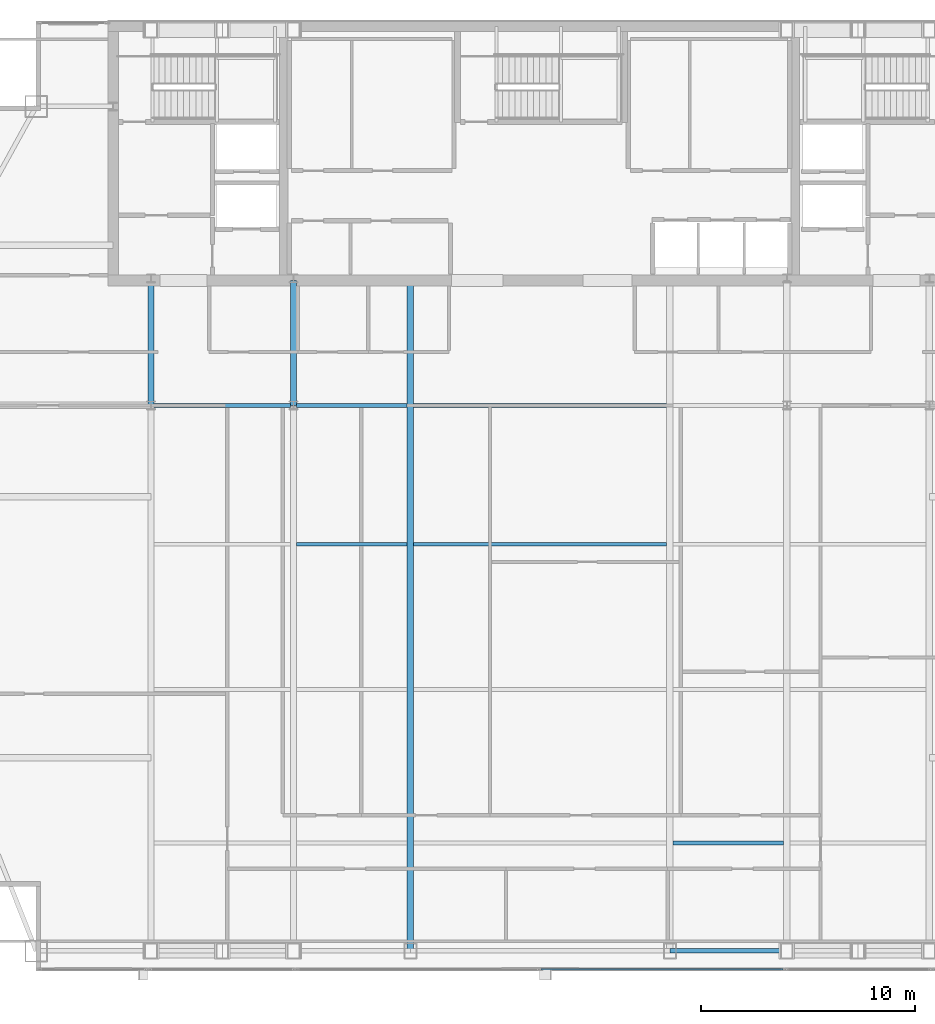
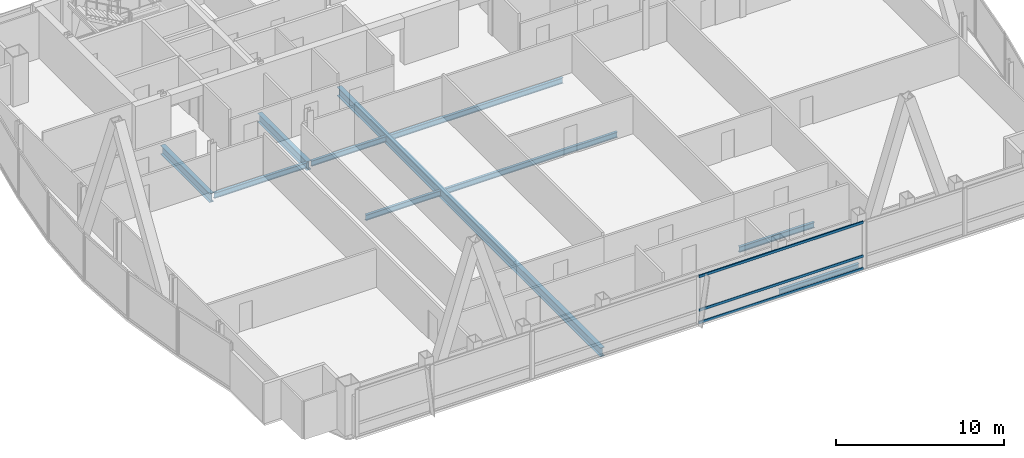
# One storey, part 13 of 31: 10 beams, 3 members, 1 element without a shape of its own.
"""IFC4 building model written with IfcOpenShell, lengths in metres."""

from ifc_helpers import new_model, si_unit, direction, frame, origin, origin_2d, place, context, subcontext, project, spatial, hollow_rectangle, i_section, extrude, material, material_profile, profile_set, type_object, element, aggregate, save


model = new_model("IFC4")

# Units and contexts
model_context = context("Model", 3, precision=1e-05, world=origin(), true_north=direction((0.0, 1.0)))
body_context = subcontext(model_context, "Body", "Model", "MODEL_VIEW")
ifc_project = project(units=[si_unit("LENGTHUNIT", "METRE"), si_unit("AREAUNIT", "SQUARE_METRE"), si_unit("VOLUMEUNIT", "CUBIC_METRE"), si_unit("PLANEANGLEUNIT", "RADIAN"), si_unit("MASSUNIT", "GRAM", prefix="KILO")], contexts=[model_context])

# Site, building, storey
site_placement = place(None, origin())
site = spatial("IfcSite", under=ifc_project, at=site_placement, CompositionType="ELEMENT")
building_placement = place(site_placement, origin())
building = spatial("IfcBuilding", under=site, at=building_placement, Name="Khoronbel Lancet Exchange", CompositionType="ELEMENT")
storey_placement = place(building_placement, frame((0.0, 0.0, 273.39990234375)))
storey = spatial("IfcBuildingStorey", under=building, at=storey_placement, Name="L70", CompositionType="ELEMENT", Elevation=273.39990234375)

# Beams
ifc_material_1 = material(Name="Steel S355", Category="steel")
ifc_material_profile_1 = material_profile(ifc_material_1, i_section(OverallWidth=0.300048828125, OverallDepth=0.64990234375, WebThickness=0.01611328125, FlangeThickness=0.031005859375, at=origin_2d()), Name="HEB 650")
ifc_profile_set_1 = profile_set([ifc_material_profile_1], Name="Steel S355")
beam_type_1 = type_object("IfcBeamType", Name="BM-BG4", PredefinedType="BEAM", material=ifc_profile_set_1)
for number, where, z_axis, x_axis, name in (
    (1, (18.22509765625, 35.699951171875, -0.48486328125), (0.0, 1.0, 0.0), (-1.0, 0.0, 0.0), "Level L70 spine tie girder GN1"),
    (2, (24.89990234375, 35.699951171875, -0.48486328125), (0.0, 1.0, 0.0), (-1.0, 0.0, 0.0), "Level L70 spine tie girder GN2"),
):
    element("IfcBeam", number, at=place(storey_placement, frame(where, z_axis=z_axis, x_axis=x_axis)), inside=storey, type_object=beam_type_1, Name=name, PredefinedType="BEAM", context=body_context, shape_type="SweptSolid", body=[
        extrude(i_section(OverallWidth=0.300048828125, OverallDepth=0.64990234375, WebThickness=0.01611328125, FlangeThickness=0.031005859375, at=origin_2d()), origin(), (0.0, 0.0, 1.0), 5.85009765625),
    ])
beam_1_placement = place(storey_placement, frame((30.375, 10.14990234375, -0.48486328125), z_axis=(0.0, 1.0, 0.0), x_axis=(-1.0, 0.0, 0.0)))
element("IfcBeam", 3, at=beam_1_placement, inside=storey, type_object=beam_type_1, Name="Level L70 primary floor girder G3", PredefinedType="BEAM", context=body_context, shape_type="SweptSolid", body=[
    extrude(i_section(OverallWidth=0.300048828125, OverallDepth=0.64990234375, WebThickness=0.01611328125, FlangeThickness=0.031005859375, at=origin_2d()), origin(), (0.0, 0.0, 1.0), 31.400146484375),
])
ifc_material_profile_2 = material_profile(ifc_material_1, i_section(OverallWidth=0.179931640625, OverallDepth=0.39990234375, WebThickness=0.008544921875, FlangeThickness=0.013427734375, at=origin_2d()), Name="IPE 400")
ifc_profile_set_2 = profile_set([ifc_material_profile_2], Name="Steel S355")
beam_type_2 = type_object("IfcBeamType", Name="BM-BJ5", PredefinedType="JOIST", material=ifc_profile_set_2)
for number, where, z_axis, x_axis, name in (
    (4, (42.675048828125, 15.199951171875, -0.35986328125), (1.0, 0.0, 0.0), (0.0, 1.0, 0.0), "Level L70 secondary composite joist J04"),
    (5, (25.050048828125, 29.199951171875, -0.35986328125), (1.0, 0.0, 0.0), (0.0, 1.0, 0.0), "Level L70 secondary composite joist J12"),
):
    element("IfcBeam", number, at=place(storey_placement, frame(where, z_axis=z_axis, x_axis=x_axis)), inside=storey, type_object=beam_type_2, Name=name, PredefinedType="JOIST", context=body_context, shape_type="SweptSolid", body=[
        extrude(i_section(OverallWidth=0.179931640625, OverallDepth=0.39990234375, WebThickness=0.008544921875, FlangeThickness=0.013427734375, at=origin_2d()), origin(), (0.0, 0.0, 1.0), 5.175048828125),
    ])
beam_2_placement = place(storey_placement, frame((30.52490234375, 29.199951171875, -0.35986328125), z_axis=(1.0, 0.0, 0.0), x_axis=(0.0, 1.0, 0.0)))
element("IfcBeam", 6, at=beam_2_placement, inside=storey, type_object=beam_type_2, Name="Level L70 secondary composite joist J13", PredefinedType="JOIST", context=body_context, shape_type="SweptSolid", body=[
    extrude(i_section(OverallWidth=0.179931640625, OverallDepth=0.39990234375, WebThickness=0.008544921875, FlangeThickness=0.013427734375, at=origin_2d()), origin(), (0.0, 0.0, 1.0), 11.85009765625),
])
beam_3_placement = place(storey_placement, frame((18.375, 35.699951171875, -0.35986328125), z_axis=(1.0, 0.0, 0.0), x_axis=(0.0, 1.0, 0.0)))
element("IfcBeam", 7, at=beam_3_placement, inside=storey, type_object=beam_type_2, Name="Level L70 secondary composite joist J16", PredefinedType="JOIST", context=body_context, shape_type="SweptSolid", body=[
    extrude(i_section(OverallWidth=0.179931640625, OverallDepth=0.39990234375, WebThickness=0.008544921875, FlangeThickness=0.013427734375, at=origin_2d()), origin(), (0.0, 0.0, 1.0), 6.375),
])
beam_4_placement = place(storey_placement, frame((25.050048828125, 35.699951171875, -0.35986328125), z_axis=(1.0, 0.0, 0.0), x_axis=(0.0, 1.0, 0.0)))
element("IfcBeam", 8, at=beam_4_placement, inside=storey, type_object=beam_type_2, Name="Level L70 secondary composite joist J17", PredefinedType="JOIST", context=body_context, shape_type="SweptSolid", body=[
    extrude(i_section(OverallWidth=0.179931640625, OverallDepth=0.39990234375, WebThickness=0.008544921875, FlangeThickness=0.013427734375, at=origin_2d()), origin(), (0.0, 0.0, 1.0), 5.175048828125),
])
beam_5_placement = place(storey_placement, frame((30.52490234375, 35.699951171875, -0.35986328125), z_axis=(1.0, 0.0, 0.0), x_axis=(0.0, 1.0, 0.0)))
element("IfcBeam", 9, at=beam_5_placement, inside=storey, type_object=beam_type_2, Name="Level L70 secondary composite joist J18", PredefinedType="JOIST", context=body_context, shape_type="SweptSolid", body=[
    extrude(i_section(OverallWidth=0.179931640625, OverallDepth=0.39990234375, WebThickness=0.008544921875, FlangeThickness=0.013427734375, at=origin_2d()), origin(), (0.0, 0.0, 1.0), 11.85009765625),
])
ifc_material_profile_3 = material_profile(ifc_material_1, i_section(OverallWidth=0.2099609375, OverallDepth=0.550048828125, WebThickness=0.010986328125, FlangeThickness=0.01708984375, at=origin_2d()), Name="IPE 550")
ifc_profile_set_3 = profile_set([ifc_material_profile_3], Name="Steel S355")
beam_type_3 = type_object("IfcBeamType", Name="BM-BSP3", PredefinedType="SPANDREL", material=ifc_profile_set_3)
beam_6_placement = place(storey_placement, frame((42.52490234375, 10.14990234375, -0.434814453125), z_axis=(1.0, 0.0, 0.0), x_axis=(0.0, 1.0, 0.0)))
element("IfcBeam", 10, at=beam_6_placement, inside=storey, type_object=beam_type_3, Name="Level L70 perimeter spandrel beam SP06", PredefinedType="SPANDREL", context=body_context, shape_type="SweptSolid", body=[
    extrude(i_section(OverallWidth=0.2099609375, OverallDepth=0.550048828125, WebThickness=0.010986328125, FlangeThickness=0.01708984375, at=origin_2d()), origin(), (0.0, 0.0, 1.0), 5.47509765625),
])

# Curtain wall, members
ifc_material_2 = material(Name="Low-E Solar Control Insulating Glass", Category="glass")
curtain_wall_type = type_object("IfcCurtainWallType", Name="CW-3", PredefinedType="NOTDEFINED", material=ifc_material_2)
curtain_wall_placement = place(storey_placement, origin())
curtain_wall = element("IfcCurtainWall", 11, at=curtain_wall_placement, inside=storey, type_object=curtain_wall_type, Name="Unitised curtain wall CW-L70-SCV", PredefinedType="NOTDEFINED")
ifc_material_3 = material(Name="Bronze-Anodised Aluminium 6063-T6", Category="aluminium")
ifc_material_profile_4 = material_profile(ifc_material_3, hollow_rectangle(XDim=0.0849609375, YDim=0.179931640625, WallThickness=0.0048828125, at=origin_2d()), Name="ALU TRANSOM 85x180")
ifc_profile_set_4 = profile_set([ifc_material_profile_4], Name="Bronze-Anodised Aluminium 6063-T6")
member_type = type_object("IfcMemberType", Name="MEM-CWT1", PredefinedType="USERDEFINED", material=ifc_profile_set_4)
member_1_placement = place(storey_placement, frame((36.492431640625, 9.2900390625, 0.04248046875), z_axis=(1.0, 0.0, 0.0), x_axis=(0.0, 1.0, 0.0)))
member_1 = element("IfcMember", 12, at=member_1_placement, type_object=member_type, Name="CW3 transom 2.1", ObjectType="TRANSOM", PredefinedType="USERDEFINED", context=body_context, shape_type="SweptSolid", body=[
    extrude(hollow_rectangle(XDim=0.0849609375, YDim=0.179931640625, WallThickness=0.0048828125, at=origin_2d()), origin(), (0.0, 0.0, 1.0), 11.322509765625),
])
member_2_placement = place(storey_placement, frame((36.492431640625, 9.2900390625, 0.9501953125), z_axis=(1.0, 0.0, 0.0), x_axis=(0.0, 1.0, 0.0)))
member_2 = element("IfcMember", 13, at=member_2_placement, type_object=member_type, Name="CW3 transom 2.2", ObjectType="TRANSOM", PredefinedType="USERDEFINED", context=body_context, shape_type="SweptSolid", body=[
    extrude(hollow_rectangle(XDim=0.0849609375, YDim=0.179931640625, WallThickness=0.0048828125, at=origin_2d()), origin(), (0.0, 0.0, 1.0), 11.322509765625),
])
member_3_placement = place(storey_placement, frame((36.492431640625, 9.2900390625, 3.397705078125), z_axis=(1.0, 0.0, 0.0), x_axis=(0.0, 1.0, 0.0)))
member_3 = element("IfcMember", 14, at=member_3_placement, type_object=member_type, Name="CW3 transom 2.3", ObjectType="TRANSOM", PredefinedType="USERDEFINED", context=body_context, shape_type="SweptSolid", body=[
    extrude(hollow_rectangle(XDim=0.0849609375, YDim=0.179931640625, WallThickness=0.0048828125, at=origin_2d()), origin(), (0.0, 0.0, 1.0), 11.322509765625),
])
aggregate(curtain_wall, [member_1, member_2, member_3])

save(model, "model.ifc")
